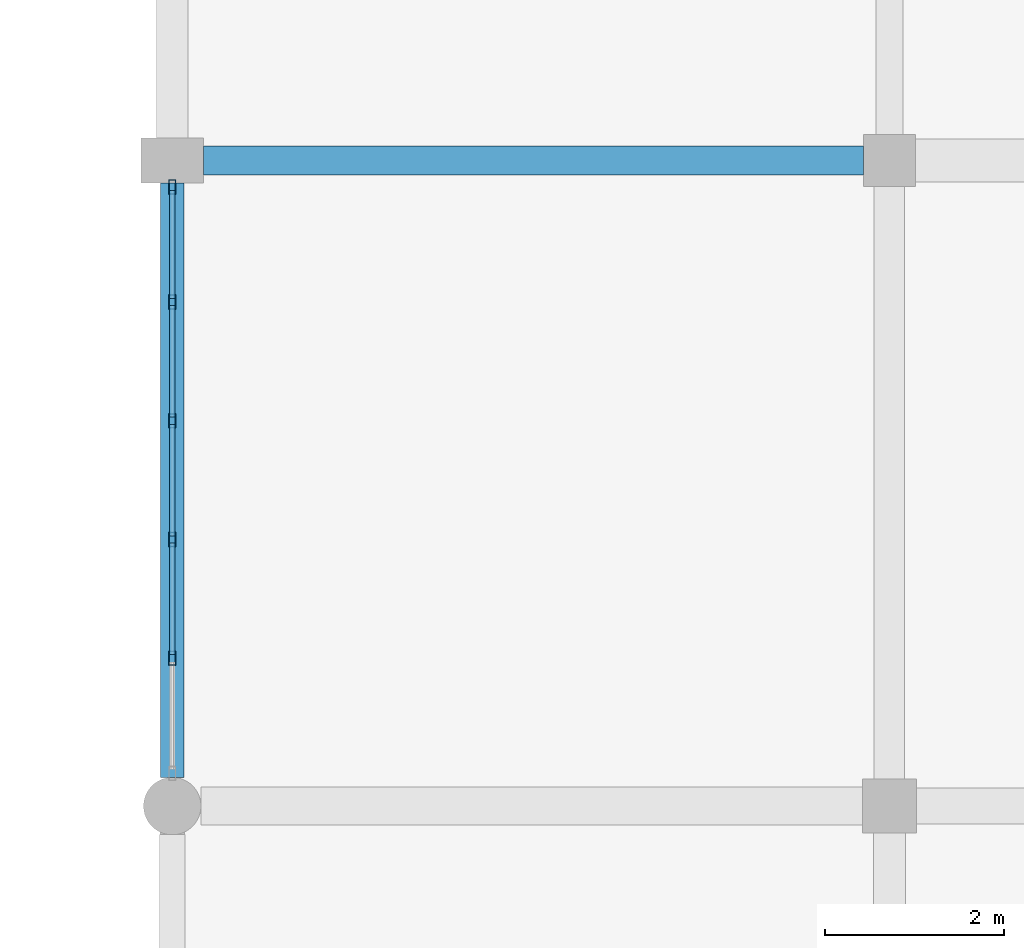
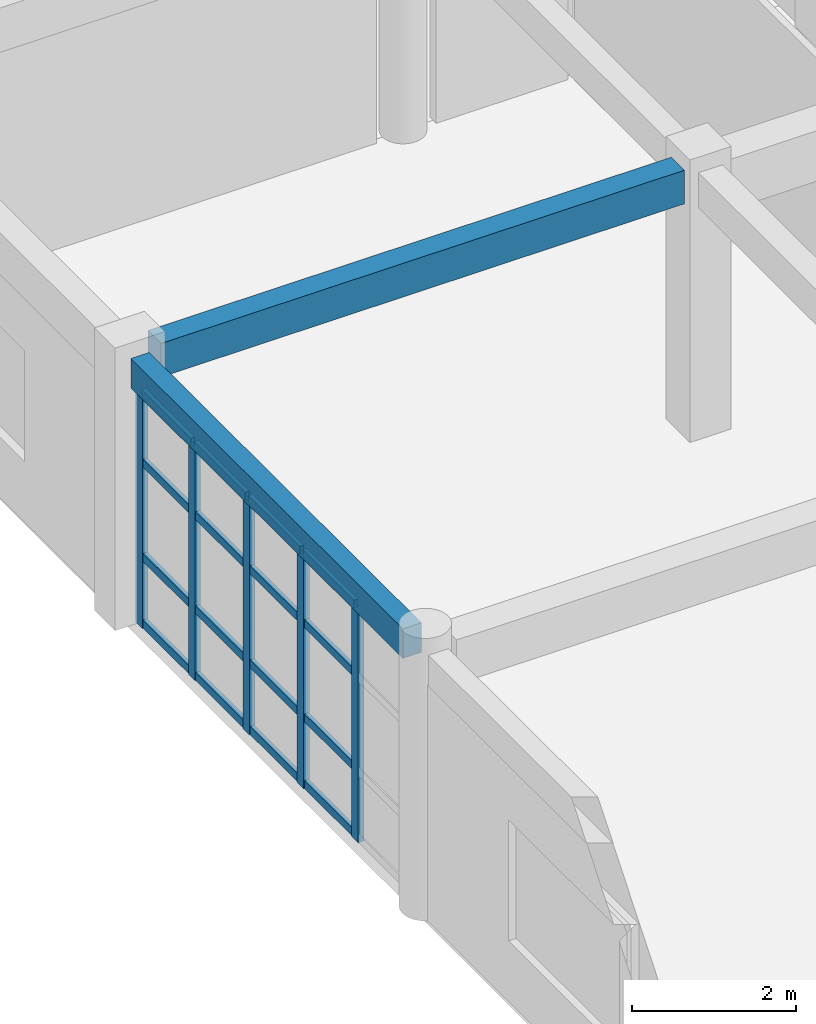
# One storey, part 26 of 53: 21 members, 2 beams, 1 element without a shape of its own.
"""IFC4 building model written with IfcOpenShell, lengths in metres."""

from ifc_helpers import new_model, si_unit, direction, frame, origin, origin_2d, place, context, subcontext, project, spatial, rectangle, hollow_rectangle, extrude, material, material_profile, profile_set, type_object, element, aggregate, save


model = new_model("IFC4")

# Units and contexts
model_context = context("Model", 3, precision=1e-05, world=origin(), true_north=direction((0.0, 1.0)))
body_context = subcontext(model_context, "Body", "Model", "MODEL_VIEW")
ifc_project = project(units=[si_unit("LENGTHUNIT", "METRE"), si_unit("AREAUNIT", "SQUARE_METRE"), si_unit("VOLUMEUNIT", "CUBIC_METRE"), si_unit("PLANEANGLEUNIT", "RADIAN"), si_unit("MASSUNIT", "GRAM", prefix="KILO")], contexts=[model_context])

# Site, building, storey
site_placement = place(None, origin())
site = spatial("IfcSite", under=ifc_project, at=site_placement, CompositionType="ELEMENT")
building_placement = place(site_placement, origin())
building = spatial("IfcBuilding", under=site, at=building_placement, Name="Kharva Crest Polytechnic", CompositionType="ELEMENT")
storey_placement = place(building_placement, frame((0.0, 0.0, 17.39990234375)))
storey = spatial("IfcBuildingStorey", under=building, at=storey_placement, Name="L04", CompositionType="ELEMENT", Elevation=17.39990234375)

# Beam
ifc_material_1 = material(Name="Concrete C35/45", Category="concrete")
ifc_material_profile_1 = material_profile(ifc_material_1, rectangle(XDim=0.320068359375, YDim=0.5, at=origin_2d()), Name="RECT 320 X 500")
ifc_profile_set_1 = profile_set([ifc_material_profile_1], Name="Concrete C35/45")
beam_type_1 = type_object("IfcBeamType", Name="BM-RC-320X500", PredefinedType="BEAM", material=ifc_profile_set_1)
beam_1_placement = place(storey_placement, frame((153.14990234375, 93.199951171875, 3.72021484375), z_axis=(1.0, 0.0, 0.0), x_axis=(0.0, 1.0, 0.0)))
element("IfcBeam", 1, at=beam_1_placement, inside=storey, type_object=beam_type_1, Name="L04 Beam N/20-21", PredefinedType="BEAM", context=body_context, shape_type="SweptSolid", body=[
    extrude(rectangle(XDim=0.320068359375, YDim=0.5, at=origin_2d()), origin(), (0.0, 0.0, 1.0), 7.360107421875),
])

# Curtain wall, members
ifc_material_2 = material(Name="Tempered insulated glass", Category="glass")
curtain_wall_type = type_object("IfcCurtainWallType", Name="CW-SYS-STUDIO", PredefinedType="USERDEFINED", material=ifc_material_2)
curtain_wall_placement = place(storey_placement, origin())
curtain_wall = element("IfcCurtainWall", 2, at=curtain_wall_placement, inside=storey, type_object=curtain_wall_type, Name="L04 Glazed Curtain Wall CW-182", ObjectType="CURTAIN WALL", PredefinedType="USERDEFINED")
ifc_material_3 = material(Name="Steel S355", Category="steel")
ifc_material_profile_2 = material_profile(ifc_material_3, hollow_rectangle(XDim=0.080078125, YDim=0.159912109375, WallThickness=0.0048828125, at=origin_2d()), Name="RHS 160X80X5.0")
ifc_profile_set_2 = profile_set([ifc_material_profile_2], Name="Steel S355")
member_type_1 = type_object("IfcMemberType", Name="CWM-RHS160X80", PredefinedType="MULLION", material=ifc_profile_set_2)
member_1_placement = place(storey_placement, frame((152.800048828125, 92.905029296875, 0.0), z_axis=(0.0, 0.0, 1.0), x_axis=(1.0, 0.0, 0.0)))
member_1 = element("IfcMember", 3, at=member_1_placement, type_object=member_type_1, Name="CW-182 mullion 1", PredefinedType="MULLION", context=body_context, shape_type="SweptSolid", body=[
    extrude(hollow_rectangle(XDim=0.080078125, YDim=0.159912109375, WallThickness=0.0048828125, at=origin_2d()), origin(), (0.0, 0.0, 1.0), 3.530029296875),
])
member_2_placement = place(storey_placement, frame((152.800048828125, 91.62109375, 0.0), z_axis=(0.0, 0.0, 1.0), x_axis=(1.0, 0.0, 0.0)))
member_2 = element("IfcMember", 4, at=member_2_placement, type_object=member_type_1, Name="CW-182 mullion 2", PredefinedType="MULLION", context=body_context, shape_type="SweptSolid", body=[
    extrude(hollow_rectangle(XDim=0.080078125, YDim=0.159912109375, WallThickness=0.0048828125, at=origin_2d()), origin(), (0.0, 0.0, 1.0), 3.530029296875),
])
member_3_placement = place(storey_placement, frame((152.800048828125, 90.297119140625, 0.0), z_axis=(0.0, 0.0, 1.0), x_axis=(1.0, 0.0, 0.0)))
member_3 = element("IfcMember", 5, at=member_3_placement, type_object=member_type_1, Name="CW-182 mullion 3", PredefinedType="MULLION", context=body_context, shape_type="SweptSolid", body=[
    extrude(hollow_rectangle(XDim=0.080078125, YDim=0.159912109375, WallThickness=0.0048828125, at=origin_2d()), origin(), (0.0, 0.0, 1.0), 3.530029296875),
])
member_4_placement = place(storey_placement, frame((152.800048828125, 88.972900390625, 0.0), z_axis=(0.0, 0.0, 1.0), x_axis=(1.0, 0.0, 0.0)))
member_4 = element("IfcMember", 6, at=member_4_placement, type_object=member_type_1, Name="CW-182 mullion 4", PredefinedType="MULLION", context=body_context, shape_type="SweptSolid", body=[
    extrude(hollow_rectangle(XDim=0.080078125, YDim=0.159912109375, WallThickness=0.0048828125, at=origin_2d()), origin(), (0.0, 0.0, 1.0), 3.530029296875),
])
member_5_placement = place(storey_placement, frame((152.800048828125, 87.64892578125, 0.0), z_axis=(0.0, 0.0, 1.0), x_axis=(1.0, 0.0, 0.0)))
member_5 = element("IfcMember", 7, at=member_5_placement, type_object=member_type_1, Name="CW-182 mullion 5", PredefinedType="MULLION", context=body_context, shape_type="SweptSolid", body=[
    extrude(hollow_rectangle(XDim=0.080078125, YDim=0.159912109375, WallThickness=0.0048828125, at=origin_2d()), origin(), (0.0, 0.0, 1.0), 3.530029296875),
])
ifc_material_profile_3 = material_profile(ifc_material_3, hollow_rectangle(XDim=0.06005859375, YDim=0.1201171875, WallThickness=0.00390625, at=origin_2d()), Name="RHS 120X60X4.0")
ifc_profile_set_3 = profile_set([ifc_material_profile_3], Name="Steel S355")
member_type_2 = type_object("IfcMemberType", Name="CWT-RHS120X60", PredefinedType="USERDEFINED", material=ifc_profile_set_3)
member_6_placement = place(storey_placement, frame((152.800048828125, 92.864990234375, 0.06005859375), z_axis=(0.0, -1.0, 0.0), x_axis=(1.0, 0.0, 0.0)))
member_6 = element("IfcMember", 8, at=member_6_placement, type_object=member_type_2, Name="CW-182 transom 1.1", ObjectType="TRANSOM", PredefinedType="USERDEFINED", context=body_context, shape_type="SweptSolid", body=[
    extrude(hollow_rectangle(XDim=0.06005859375, YDim=0.1201171875, WallThickness=0.00390625, at=origin_2d()), origin(), (0.0, 0.0, 1.0), 1.2041015625),
])
member_7_placement = place(storey_placement, frame((152.800048828125, 92.864990234375, 1.050048828125), z_axis=(0.0, -1.0, 0.0), x_axis=(1.0, 0.0, 0.0)))
member_7 = element("IfcMember", 9, at=member_7_placement, type_object=member_type_2, Name="CW-182 transom 1.2", ObjectType="TRANSOM", PredefinedType="USERDEFINED", context=body_context, shape_type="SweptSolid", body=[
    extrude(hollow_rectangle(XDim=0.06005859375, YDim=0.1201171875, WallThickness=0.00390625, at=origin_2d()), origin(), (0.0, 0.0, 1.0), 1.2041015625),
])
member_8_placement = place(storey_placement, frame((152.800048828125, 92.864990234375, 2.4501953125), z_axis=(0.0, -1.0, 0.0), x_axis=(1.0, 0.0, 0.0)))
member_8 = element("IfcMember", 10, at=member_8_placement, type_object=member_type_2, Name="CW-182 transom 1.3", ObjectType="TRANSOM", PredefinedType="USERDEFINED", context=body_context, shape_type="SweptSolid", body=[
    extrude(hollow_rectangle(XDim=0.06005859375, YDim=0.1201171875, WallThickness=0.00390625, at=origin_2d()), origin(), (0.0, 0.0, 1.0), 1.2041015625),
])
member_9_placement = place(storey_placement, frame((152.800048828125, 92.864990234375, 3.47021484375), z_axis=(0.0, -1.0, 0.0), x_axis=(1.0, 0.0, 0.0)))
member_9 = element("IfcMember", 11, at=member_9_placement, type_object=member_type_2, Name="CW-182 transom 1.4", ObjectType="TRANSOM", PredefinedType="USERDEFINED", context=body_context, shape_type="SweptSolid", body=[
    extrude(hollow_rectangle(XDim=0.06005859375, YDim=0.1201171875, WallThickness=0.00390625, at=origin_2d()), origin(), (0.0, 0.0, 1.0), 1.2041015625),
])
member_10_placement = place(storey_placement, frame((152.800048828125, 91.5810546875, 0.06005859375), z_axis=(0.0, -1.0, 0.0), x_axis=(1.0, 0.0, 0.0)))
member_10 = element("IfcMember", 12, at=member_10_placement, type_object=member_type_2, Name="CW-182 transom 2.1", ObjectType="TRANSOM", PredefinedType="USERDEFINED", context=body_context, shape_type="SweptSolid", body=[
    extrude(hollow_rectangle(XDim=0.06005859375, YDim=0.1201171875, WallThickness=0.00390625, at=origin_2d()), origin(), (0.0, 0.0, 1.0), 1.244140625),
])
member_11_placement = place(storey_placement, frame((152.800048828125, 91.5810546875, 1.050048828125), z_axis=(0.0, -1.0, 0.0), x_axis=(1.0, 0.0, 0.0)))
member_11 = element("IfcMember", 13, at=member_11_placement, type_object=member_type_2, Name="CW-182 transom 2.2", ObjectType="TRANSOM", PredefinedType="USERDEFINED", context=body_context, shape_type="SweptSolid", body=[
    extrude(hollow_rectangle(XDim=0.06005859375, YDim=0.1201171875, WallThickness=0.00390625, at=origin_2d()), origin(), (0.0, 0.0, 1.0), 1.244140625),
])
member_12_placement = place(storey_placement, frame((152.800048828125, 91.5810546875, 2.4501953125), z_axis=(0.0, -1.0, 0.0), x_axis=(1.0, 0.0, 0.0)))
member_12 = element("IfcMember", 14, at=member_12_placement, type_object=member_type_2, Name="CW-182 transom 2.3", ObjectType="TRANSOM", PredefinedType="USERDEFINED", context=body_context, shape_type="SweptSolid", body=[
    extrude(hollow_rectangle(XDim=0.06005859375, YDim=0.1201171875, WallThickness=0.00390625, at=origin_2d()), origin(), (0.0, 0.0, 1.0), 1.244140625),
])
member_13_placement = place(storey_placement, frame((152.800048828125, 91.5810546875, 3.47021484375), z_axis=(0.0, -1.0, 0.0), x_axis=(1.0, 0.0, 0.0)))
member_13 = element("IfcMember", 15, at=member_13_placement, type_object=member_type_2, Name="CW-182 transom 2.4", ObjectType="TRANSOM", PredefinedType="USERDEFINED", context=body_context, shape_type="SweptSolid", body=[
    extrude(hollow_rectangle(XDim=0.06005859375, YDim=0.1201171875, WallThickness=0.00390625, at=origin_2d()), origin(), (0.0, 0.0, 1.0), 1.244140625),
])
member_14_placement = place(storey_placement, frame((152.800048828125, 90.257080078125, 0.06005859375), z_axis=(0.0, -1.0, 0.0), x_axis=(1.0, 0.0, 0.0)))
member_14 = element("IfcMember", 16, at=member_14_placement, type_object=member_type_2, Name="CW-182 transom 3.1", ObjectType="TRANSOM", PredefinedType="USERDEFINED", context=body_context, shape_type="SweptSolid", body=[
    extrude(hollow_rectangle(XDim=0.06005859375, YDim=0.1201171875, WallThickness=0.00390625, at=origin_2d()), origin(), (0.0, 0.0, 1.0), 1.244140625),
])
member_15_placement = place(storey_placement, frame((152.800048828125, 90.257080078125, 1.050048828125), z_axis=(0.0, -1.0, 0.0), x_axis=(1.0, 0.0, 0.0)))
member_15 = element("IfcMember", 17, at=member_15_placement, type_object=member_type_2, Name="CW-182 transom 3.2", ObjectType="TRANSOM", PredefinedType="USERDEFINED", context=body_context, shape_type="SweptSolid", body=[
    extrude(hollow_rectangle(XDim=0.06005859375, YDim=0.1201171875, WallThickness=0.00390625, at=origin_2d()), origin(), (0.0, 0.0, 1.0), 1.244140625),
])
member_16_placement = place(storey_placement, frame((152.800048828125, 90.257080078125, 2.4501953125), z_axis=(0.0, -1.0, 0.0), x_axis=(1.0, 0.0, 0.0)))
member_16 = element("IfcMember", 18, at=member_16_placement, type_object=member_type_2, Name="CW-182 transom 3.3", ObjectType="TRANSOM", PredefinedType="USERDEFINED", context=body_context, shape_type="SweptSolid", body=[
    extrude(hollow_rectangle(XDim=0.06005859375, YDim=0.1201171875, WallThickness=0.00390625, at=origin_2d()), origin(), (0.0, 0.0, 1.0), 1.244140625),
])
member_17_placement = place(storey_placement, frame((152.800048828125, 90.257080078125, 3.47021484375), z_axis=(0.0, -1.0, 0.0), x_axis=(1.0, 0.0, 0.0)))
member_17 = element("IfcMember", 19, at=member_17_placement, type_object=member_type_2, Name="CW-182 transom 3.4", ObjectType="TRANSOM", PredefinedType="USERDEFINED", context=body_context, shape_type="SweptSolid", body=[
    extrude(hollow_rectangle(XDim=0.06005859375, YDim=0.1201171875, WallThickness=0.00390625, at=origin_2d()), origin(), (0.0, 0.0, 1.0), 1.244140625),
])
member_18_placement = place(storey_placement, frame((152.800048828125, 88.93310546875, 0.06005859375), z_axis=(0.0, -1.0, 0.0), x_axis=(1.0, 0.0, 0.0)))
member_18 = element("IfcMember", 20, at=member_18_placement, type_object=member_type_2, Name="CW-182 transom 4.1", ObjectType="TRANSOM", PredefinedType="USERDEFINED", context=body_context, shape_type="SweptSolid", body=[
    extrude(hollow_rectangle(XDim=0.06005859375, YDim=0.1201171875, WallThickness=0.00390625, at=origin_2d()), origin(), (0.0, 0.0, 1.0), 1.244140625),
])
member_19_placement = place(storey_placement, frame((152.800048828125, 88.93310546875, 1.050048828125), z_axis=(0.0, -1.0, 0.0), x_axis=(1.0, 0.0, 0.0)))
member_19 = element("IfcMember", 21, at=member_19_placement, type_object=member_type_2, Name="CW-182 transom 4.2", ObjectType="TRANSOM", PredefinedType="USERDEFINED", context=body_context, shape_type="SweptSolid", body=[
    extrude(hollow_rectangle(XDim=0.06005859375, YDim=0.1201171875, WallThickness=0.00390625, at=origin_2d()), origin(), (0.0, 0.0, 1.0), 1.244140625),
])
member_20_placement = place(storey_placement, frame((152.800048828125, 88.93310546875, 2.4501953125), z_axis=(0.0, -1.0, 0.0), x_axis=(1.0, 0.0, 0.0)))
member_20 = element("IfcMember", 22, at=member_20_placement, type_object=member_type_2, Name="CW-182 transom 4.3", ObjectType="TRANSOM", PredefinedType="USERDEFINED", context=body_context, shape_type="SweptSolid", body=[
    extrude(hollow_rectangle(XDim=0.06005859375, YDim=0.1201171875, WallThickness=0.00390625, at=origin_2d()), origin(), (0.0, 0.0, 1.0), 1.244140625),
])
member_21_placement = place(storey_placement, frame((152.800048828125, 88.93310546875, 3.47021484375), z_axis=(0.0, -1.0, 0.0), x_axis=(1.0, 0.0, 0.0)))
member_21 = element("IfcMember", 23, at=member_21_placement, type_object=member_type_2, Name="CW-182 transom 4.4", ObjectType="TRANSOM", PredefinedType="USERDEFINED", context=body_context, shape_type="SweptSolid", body=[
    extrude(hollow_rectangle(XDim=0.06005859375, YDim=0.1201171875, WallThickness=0.00390625, at=origin_2d()), origin(), (0.0, 0.0, 1.0), 1.244140625),
])
aggregate(curtain_wall, [member_1, member_2, member_3, member_4, member_5, member_6, member_7, member_8, member_9, member_10, member_11, member_12, member_13, member_14, member_15, member_16, member_17, member_18, member_19, member_20, member_21])

# Beam
ifc_material_profile_4 = material_profile(ifc_material_1, rectangle(XDim=0.260009765625, YDim=0.43994140625, at=origin_2d()), Name="RECT 260 X 440")
ifc_profile_set_4 = profile_set([ifc_material_profile_4], Name="Concrete C35/45")
beam_type_2 = type_object("IfcBeamType", Name="SP-RC-260X440", PredefinedType="SPANDREL", material=ifc_profile_set_4)
beam_2_placement = place(storey_placement, frame((152.800048828125, 86.320068359375, 3.75), z_axis=(0.0, 1.0, 0.0), x_axis=(-1.0, 0.0, 0.0)))
element("IfcBeam", 24, at=beam_2_placement, inside=storey, type_object=beam_type_2, Name="L04 Girder 20/M-N", PredefinedType="SPANDREL", context=body_context, shape_type="SweptSolid", body=[
    extrude(rectangle(XDim=0.260009765625, YDim=0.43994140625, at=origin_2d()), origin(), (0.0, 0.0, 1.0), 6.6298828125),
])

save(model, "model.ifc")
